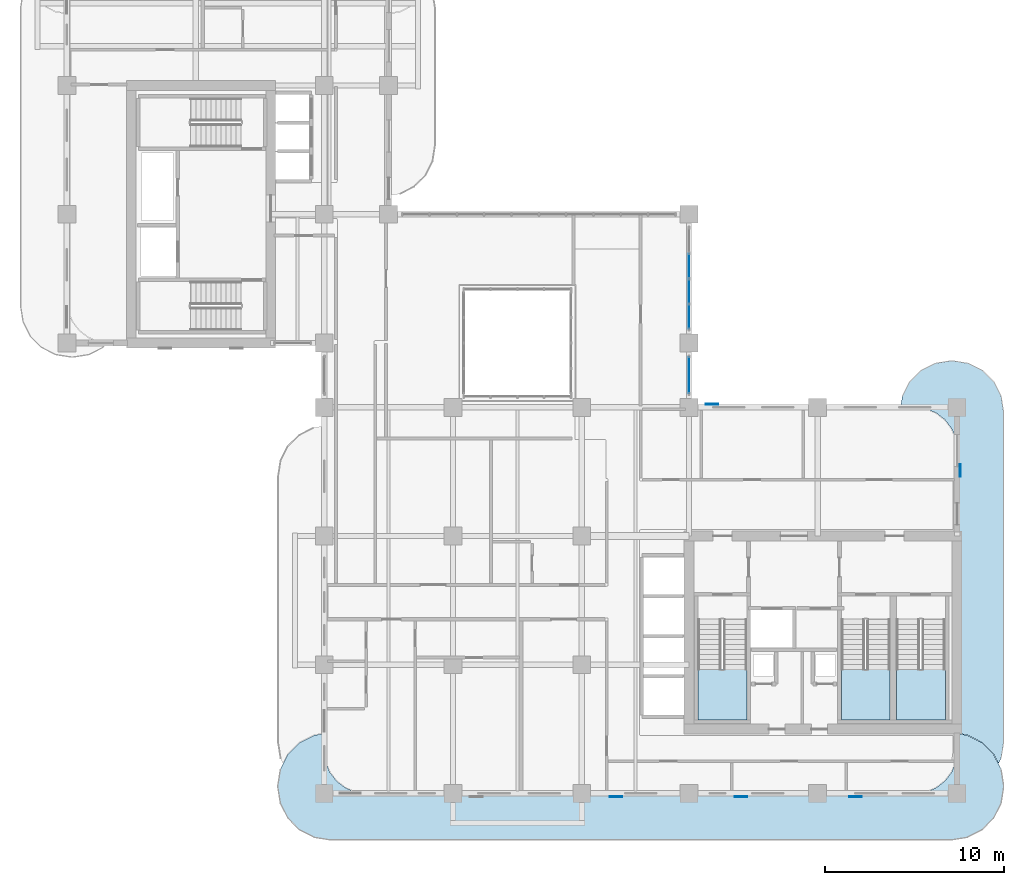
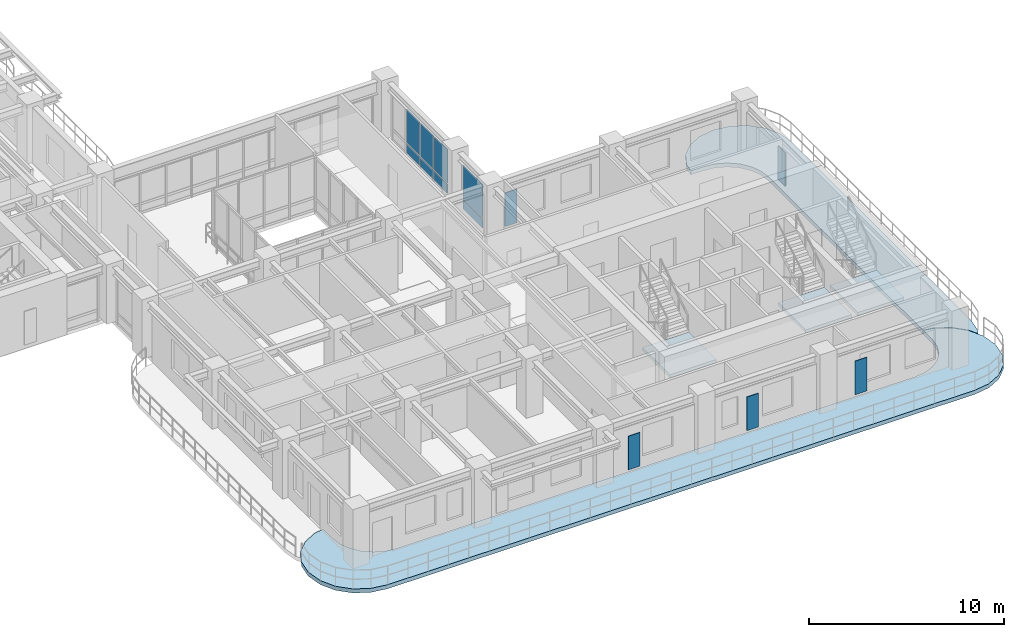
# One storey, part 9 of 20: 13 plates, 5 slabs, 5 elements without a shape of their own.
"""IFC4 building model written with IfcOpenShell, lengths in metres."""

from ifc_helpers import new_model, si_unit, derived_unit, direction, frame, origin, origin_2d, place, context, subcontext, project, spatial, polyline, rectangle, outline, extrude, source, transform, mapped, material, layer, layer_set, type_object, type_shapes, element, aggregate, save


model = new_model("IFC4")

# Units and contexts
model_context = context("Model", 3, precision=1e-05, world=origin(), true_north=direction((0.0, 1.0)))
body_context = subcontext(model_context, "Body", "Model", "MODEL_VIEW")
ifc_project = project(units=[si_unit("LENGTHUNIT", "METRE"), si_unit("AREAUNIT", "SQUARE_METRE"), si_unit("VOLUMEUNIT", "CUBIC_METRE"), si_unit("PLANEANGLEUNIT", "RADIAN"), si_unit("MASSUNIT", "GRAM", prefix="KILO"), si_unit("THERMODYNAMICTEMPERATUREUNIT", "KELVIN"), si_unit("POWERUNIT", "WATT"), derived_unit("THERMALTRANSMITTANCEUNIT", [(si_unit("POWERUNIT", "WATT"), 1), (si_unit("AREAUNIT", "SQUARE_METRE"), -1), (si_unit("THERMODYNAMICTEMPERATUREUNIT", "KELVIN"), -1)])], contexts=[model_context])

# Site, building, storey
site_placement = place(None, origin())
site = spatial("IfcSite", under=ifc_project, at=site_placement, CompositionType="ELEMENT")
building_placement = place(site_placement, origin())
building = spatial("IfcBuilding", under=site, at=building_placement, Name="Zahravan Archway Hotel and Residences", CompositionType="ELEMENT")
storey_placement = place(building_placement, frame((0.0, 0.0, 115.5)))
storey = spatial("IfcBuildingStorey", under=building, at=storey_placement, Name="L28", CompositionType="ELEMENT", Elevation=115.5)

# Slabs
ifc_material_1 = material(Name="Concrete C45/55", Category="concrete")
ifc_layer_1 = layer(ifc_material_1, 0.25, Name="Concrete C45/55", Category="concrete")
ifc_layer_set_1 = layer_set([ifc_layer_1], Name="Concrete C45/55")
slab_type_1 = type_object("IfcSlabType", Name="SLB-BALC-250", PredefinedType="FLOOR", material=ifc_layer_set_1)
slab_1_placement = place(storey_placement, frame((0.0, 0.0, -0.25)))
element("IfcSlab", 1, at=slab_1_placement, inside=storey, type_object=slab_type_1, Name="L28 Wing A South Rounded Balcony Band", PredefinedType="FLOOR", context=body_context, shape_type="SweptSolid", body=[
    extrude(outline(polyline([(50.361572265625, 3.255615234375), (51.18408203125, 2.836669921875), (51.836669921875, 2.18408203125), (52.255615234375, 1.361572265625), (52.39990234375, 0.449951171875), (52.39990234375, 0.35009765625), (52.255615234375, -0.5615234375), (51.836669921875, -1.384033203125), (51.18408203125, -2.03662109375), (50.361572265625, -2.45556640625), (49.449951171875, -2.60009765625), (14.75, -2.60009765625), (13.83837890625, -2.45556640625), (13.01611328125, -2.03662109375), (12.36328125, -1.384033203125), (11.9443359375, -0.5615234375), (11.800048828125, 0.35009765625), (11.800048828125, 0.449951171875), (11.9443359375, 1.361572265625), (12.36328125, 2.18408203125), (13.01611328125, 2.836669921875), (13.83837890625, 3.255615234375), (14.3798828125, 3.34130859375), (14.3798828125, 2.39990234375), (14.380126953125, 2.3974609375), (14.4619140625, 1.776123046875), (14.46240234375, 1.7744140625), (14.462646484375, 1.772705078125), (14.46337890625, 1.77099609375), (14.702880859375, 1.1923828125), (14.703857421875, 1.19091796875), (14.70458984375, 1.189208984375), (14.70556640625, 1.187744140625), (15.0869140625, 0.690673828125), (15.088134765625, 0.689453125), (15.08935546875, 0.688232421875), (15.0908203125, 0.68701171875), (15.587890625, 0.3056640625), (15.58935546875, 0.3046875), (15.5908203125, 0.3037109375), (15.59228515625, 0.302978515625), (16.171142578125, 0.063232421875), (16.1728515625, 0.062744140625), (16.174560546875, 0.062255859375), (16.17626953125, 0.06201171875), (16.79736328125, -0.019775390625), (16.800048828125, -0.02001953125), (47.39990234375, -0.02001953125), (47.402587890625, -0.019775390625), (48.023681640625, 0.06201171875), (48.025390625, 0.062255859375), (48.027099609375, 0.062744140625), (48.02880859375, 0.063232421875), (48.607666015625, 0.302978515625), (48.609130859375, 0.3037109375), (48.610595703125, 0.3046875), (48.6123046875, 0.3056640625), (49.109375, 0.68701171875), (49.110595703125, 0.688232421875), (49.11181640625, 0.689453125), (49.113037109375, 0.690673828125), (49.494384765625, 1.187744140625), (49.495361328125, 1.189208984375), (49.49609375, 1.19091796875), (49.4970703125, 1.1923828125), (49.73681640625, 1.77099609375), (49.7373046875, 1.772705078125), (49.73779296875, 1.7744140625), (49.738037109375, 1.776123046875), (49.81982421875, 2.3974609375), (49.820068359375, 2.39990234375), (49.820068359375, 3.34130859375), (50.361572265625, 3.255615234375)])), origin(), (0.0, 0.0, 1.0), 0.25),
])
slab_2_placement = place(storey_placement, frame((0.0, 0.0, -0.25)))
element("IfcSlab", 2, at=slab_2_placement, inside=storey, type_object=slab_type_1, Name="L28 Wing A East Rounded Balcony Band", PredefinedType="FLOOR", context=body_context, shape_type="SweptSolid", body=[
    extrude(outline(polyline([(46.739501953125, 22.230712890625), (47.144287109375, 23.025146484375), (47.77490234375, 23.65576171875), (48.5693359375, 24.060546875), (49.449951171875, 24.199951171875), (49.550048828125, 24.199951171875), (50.4306640625, 24.060546875), (51.22509765625, 23.65576171875), (51.855712890625, 23.025146484375), (52.260498046875, 22.230712890625), (52.39990234375, 21.35009765625), (52.39990234375, 2.85009765625), (52.260498046875, 1.96923828125), (52.114501953125, 1.6826171875), (51.8544921875, 2.193115234375), (51.853515625, 2.19482421875), (51.85205078125, 2.196533203125), (51.8505859375, 2.197998046875), (51.197998046875, 2.8505859375), (51.196533203125, 2.85205078125), (51.19482421875, 2.853515625), (51.193115234375, 2.8544921875), (50.37060546875, 3.2734375), (50.368896484375, 3.2744140625), (50.36669921875, 3.27490234375), (50.36474609375, 3.275390625), (49.822998046875, 3.361083984375), (49.8212890625, 3.361328125), (49.820068359375, 3.361328125), (49.820068359375, 19.199951171875), (49.81982421875, 19.20263671875), (49.738037109375, 19.82373046875), (49.73779296875, 19.825439453125), (49.7373046875, 19.8271484375), (49.73681640625, 19.828857421875), (49.4970703125, 20.40771484375), (49.49609375, 20.4091796875), (49.495361328125, 20.41064453125), (49.494384765625, 20.412109375), (49.113037109375, 20.9091796875), (49.11181640625, 20.91064453125), (49.110595703125, 20.911865234375), (49.109375, 20.9130859375), (48.6123046875, 21.29443359375), (48.610595703125, 21.29541015625), (48.609130859375, 21.296142578125), (48.607666015625, 21.297119140625), (48.02880859375, 21.53662109375), (48.027099609375, 21.537353515625), (48.025390625, 21.53759765625), (48.023681640625, 21.5380859375), (47.402587890625, 21.619873046875), (47.39990234375, 21.6201171875), (46.642822265625, 21.6201171875), (46.739501953125, 22.230712890625)])), origin(), (0.0, 0.0, 1.0), 0.25),
])

# Stair, slab
ifc_material_2 = material(Name="Concrete C50/60", Category="concrete")
stair_type = type_object("IfcStairType", Name="STR-CORE-1300", PredefinedType="HALF_TURN_STAIR", material=ifc_material_2)
stair_1_placement = place(storey_placement, origin())
stair_1 = element("IfcStair", 3, at=stair_1_placement, inside=storey, type_object=stair_type, Name="L28 Core A Exit Stair 1", PredefinedType="HALF_TURN_STAIR")
ifc_layer_2 = layer(ifc_material_2, 0.199951171875, Name="Concrete C50/60", Category="concrete")
ifc_layer_set_2 = layer_set([ifc_layer_2], Name="Concrete C50/60")
slab_type_2 = type_object("IfcSlabType", Name="SLB-LND-200", PredefinedType="LANDING", material=ifc_layer_set_2)
slab_3_placement = place(storey_placement, frame((0.0, 0.0, 1.64990234375)))
slab_3 = element("IfcSlab", 4, at=slab_3_placement, type_object=slab_type_2, Name="ST-A1 landing 1", PredefinedType="LANDING", context=body_context, shape_type="SweptSolid", body=[
    extrude(outline(polyline([(35.300048828125, 6.929931640625), (35.300048828125, 4.10009765625), (38.0400390625, 4.10009765625), (38.0400390625, 6.929931640625), (35.300048828125, 6.929931640625)])), origin(), (0.0, 0.0, 1.0), 0.2001953125),
])
aggregate(stair_1, [slab_3])

stair_2_placement = place(storey_placement, origin())
stair_2 = element("IfcStair", 5, at=stair_2_placement, inside=storey, type_object=stair_type, Name="L28 Core A Exit Stair 2", PredefinedType="HALF_TURN_STAIR")
slab_4_placement = place(storey_placement, frame((0.0, 0.0, 1.64990234375)))
slab_4 = element("IfcSlab", 6, at=slab_4_placement, type_object=slab_type_2, Name="ST-A2 landing 1", PredefinedType="LANDING", context=body_context, shape_type="SweptSolid", body=[
    extrude(outline(polyline([(43.320068359375, 6.929931640625), (43.320068359375, 4.10009765625), (46.06005859375, 4.10009765625), (46.06005859375, 6.929931640625), (43.320068359375, 6.929931640625)])), origin(), (0.0, 0.0, 1.0), 0.2001953125),
])
aggregate(stair_2, [slab_4])

stair_3_placement = place(storey_placement, origin())
stair_3 = element("IfcStair", 7, at=stair_3_placement, inside=storey, type_object=stair_type, Name="L28 Core A Exit Stair 3", PredefinedType="HALF_TURN_STAIR")
slab_5_placement = place(storey_placement, frame((0.0, 0.0, 1.64990234375)))
slab_5 = element("IfcSlab", 8, at=slab_5_placement, type_object=slab_type_2, Name="ST-A3 landing 1", PredefinedType="LANDING", context=body_context, shape_type="SweptSolid", body=[
    extrude(outline(polyline([(46.39990234375, 6.929931640625), (46.39990234375, 4.10009765625), (49.139892578125, 4.10009765625), (49.139892578125, 6.929931640625), (46.39990234375, 6.929931640625)])), origin(), (0.0, 0.0, 1.0), 0.2001953125),
])
aggregate(stair_3, [slab_5])

# Plates
ifc_material_3 = material(Name="Perforated Cast Bronze Jali Lattice")
ifc_layer_3 = layer(ifc_material_3, 0.044921875, Name="Perforated Cast Bronze Jali Lattice")
ifc_layer_set_3 = layer_set([ifc_layer_3], Name="Perforated Cast Bronze Jali Lattice")
plate_type_1 = type_object("IfcPlateType", Name="PLT-JALI-BAY", PredefinedType="USERDEFINED", material=ifc_layer_set_3)
shared_shape_1 = source(origin(), body_context, "Body", "SweptSolid", [
    extrude(rectangle(XDim=0.699951171875, YDim=0.044921875, at=origin_2d()), origin(), (0.0, 0.0, 1.0), 2.10009765625),
])
type_shapes(plate_type_1, [shared_shape_1])
for number, where, z_axis, x_axis, name in (
    (9, (30.7080078125, -0.177978515625, 0.25), (0.0, 0.0, 1.0), (1.0, 0.0, 0.0), "L28 Perforated Bronze Jali Pier Screen 02"),
    (10, (37.7080078125, -0.177978515625, 0.25), (0.0, 0.0, 1.0), (1.0, 0.0, 0.0), "L28 Perforated Bronze Jali Pier Screen 03"),
    (11, (44.10791015625, -0.177978515625, 0.25), (0.0, 0.0, 1.0), (1.0, 0.0, 0.0), "L28 Perforated Bronze Jali Pier Screen 04"),
    (12, (49.97802734375, 18.05908203125, 0.25), (0.0, 0.0, 1.0), (0.0, 1.0, 0.0), "L28 Perforated Bronze Jali Pier Screen 05"),
    (13, (36.10009765625, 21.778076171875, 0.25), (0.0, 0.0, 1.0), (1.0, 0.0, 0.0), "L28 Perforated Bronze Jali Pier Screen 06"),
):
    element("IfcPlate", number, at=place(storey_placement, frame(where, z_axis=z_axis, x_axis=x_axis)), inside=storey, type_object=plate_type_1, Name=name, ObjectType="SCREEN", PredefinedType="USERDEFINED", context=body_context, shape_type="MappedRepresentation", body=[
        mapped(shared_shape_1, transform((0.0, 0.0, 0.0), scale=1.0)),
    ])

# Curtain wall, plates
ifc_material_4 = material(Name="Bronze-Anodized Unitised Aluminium & Low-E Glass", Category="aluminium")
ifc_layer_4 = layer(ifc_material_4, 0.179931640625, Name="Bronze-Anodized Unitised Aluminium & Low-E Glass", Category="aluminium")
ifc_layer_set_4 = layer_set([ifc_layer_4], Name="Bronze-Anodized Unitised Aluminium & Low-E Glass")
curtain_wall_type = type_object("IfcCurtainWallType", Name="CW-ATR-GLAZ", PredefinedType="NOTDEFINED", material=ifc_layer_set_4)
curtain_wall_1_placement = place(storey_placement, origin())
curtain_wall_1 = element("IfcCurtainWall", 14, at=curtain_wall_1_placement, inside=storey, type_object=curtain_wall_type, Name="L28 Curtain Wall CW-L28-HNG-E-1", PredefinedType="NOTDEFINED")
ifc_material_5 = material(Name="Insulated Terracotta Spandrel Panel", Category="masonry")
ifc_layer_5 = layer(ifc_material_5, 0.0400390625, Name="Insulated Terracotta Spandrel Panel", Category="masonry")
ifc_layer_set_5 = layer_set([ifc_layer_5], Name="Insulated Terracotta Spandrel Panel")
plate_type_2 = type_object("IfcPlateType", Name="CWP-SPN-40", PredefinedType="SHEET", material=ifc_layer_set_5)
shared_shape_2 = source(origin(), body_context, "Body", "SweptSolid", [
    extrude(rectangle(XDim=2.0, YDim=0.0400390625, at=origin_2d()), origin(), (0.0, 0.0, 1.0), 0.564453125),
])
plate_1_placement = place(storey_placement, frame((34.800048828125, 23.39990234375, 0.099853515625), z_axis=(0.0, 0.0, 1.0), x_axis=(0.0, 1.0, 0.0)))
plate_1 = element("IfcPlate", 15, at=plate_1_placement, type_object=plate_type_2, Name="CW-L28-HNG-E-1 Spandrel Panel 0", PredefinedType="SHEET", context=body_context, shape_type="MappedRepresentation", body=[
    mapped(shared_shape_2, transform((0.0, 0.0, 0.0), scale=1.0)),
])
ifc_material_6 = material(Name="Double-Silver Low-E Insulated Vision Glass", Category="glass")
ifc_layer_6 = layer(ifc_material_6, 0.028076171875, Name="Double-Silver Low-E Insulated Vision Glass", Category="glass")
ifc_layer_set_6 = layer_set([ifc_layer_6], Name="Double-Silver Low-E Insulated Vision Glass")
plate_type_3 = type_object("IfcPlateType", Name="CWP-GLZ-28", PredefinedType="CURTAIN_PANEL", material=ifc_layer_set_6)
shared_shape_3 = source(origin(), body_context, "Body", "SweptSolid", [
    extrude(rectangle(XDim=2.0, YDim=0.028076171875, at=origin_2d()), origin(), (0.0, 0.0, 1.0), 2.090576171875),
])
plate_2_placement = place(storey_placement, frame((34.800048828125, 23.39990234375, 0.74462890625), z_axis=(0.0, 0.0, 1.0), x_axis=(0.0, 1.0, 0.0)))
plate_2 = element("IfcPlate", 16, at=plate_2_placement, type_object=plate_type_3, Name="CW-L28-HNG-E-1 Low-E Vision Panel 0", PredefinedType="CURTAIN_PANEL", context=body_context, shape_type="MappedRepresentation", body=[
    mapped(shared_shape_3, transform((0.0, 0.0, 0.0), scale=1.0)),
])
aggregate(curtain_wall_1, [plate_1, plate_2])

curtain_wall_2_placement = place(storey_placement, origin())
curtain_wall_2 = element("IfcCurtainWall", 17, at=curtain_wall_2_placement, inside=storey, type_object=curtain_wall_type, Name="L28 Curtain Wall CW-L28-HNG-E-2", PredefinedType="NOTDEFINED")
shared_shape_4 = source(origin(), body_context, "Body", "SweptSolid", [
    extrude(rectangle(XDim=1.340087890625, YDim=0.0400390625, at=origin_2d()), origin(), (0.0, 0.0, 1.0), 0.564453125),
])
plate_3_placement = place(storey_placement, frame((34.800048828125, 26.669921875, 0.099853515625), z_axis=(0.0, 0.0, 1.0), x_axis=(0.0, 1.0, 0.0)))
plate_3 = element("IfcPlate", 18, at=plate_3_placement, type_object=plate_type_2, Name="CW-L28-HNG-E-2 Spandrel Panel 0", PredefinedType="SHEET", context=body_context, shape_type="MappedRepresentation", body=[
    mapped(shared_shape_4, transform((0.0, 0.0, 0.0), scale=1.0)),
])
plate_4_placement = place(storey_placement, frame((34.800048828125, 28.090087890625, 0.099853515625), z_axis=(0.0, 0.0, 1.0), x_axis=(0.0, 1.0, 0.0)))
plate_4 = element("IfcPlate", 19, at=plate_4_placement, type_object=plate_type_2, Name="CW-L28-HNG-E-2 Spandrel Panel 1", PredefinedType="SHEET", context=body_context, shape_type="MappedRepresentation", body=[
    mapped(shared_shape_4, transform((0.0, 0.0, 0.0), scale=1.0)),
])
plate_5_placement = place(storey_placement, frame((34.800048828125, 29.510009765625, 0.099853515625), z_axis=(0.0, 0.0, 1.0), x_axis=(0.0, 1.0, 0.0)))
plate_5 = element("IfcPlate", 20, at=plate_5_placement, type_object=plate_type_2, Name="CW-L28-HNG-E-2 Spandrel Panel 2", PredefinedType="SHEET", context=body_context, shape_type="MappedRepresentation", body=[
    mapped(shared_shape_4, transform((0.0, 0.0, 0.0), scale=1.0)),
])
shared_shape_5 = source(origin(), body_context, "Body", "SweptSolid", [
    extrude(rectangle(XDim=1.340087890625, YDim=0.028076171875, at=origin_2d()), origin(), (0.0, 0.0, 1.0), 2.090576171875),
])
plate_6_placement = place(storey_placement, frame((34.800048828125, 26.669921875, 0.74462890625), z_axis=(0.0, 0.0, 1.0), x_axis=(0.0, 1.0, 0.0)))
plate_6 = element("IfcPlate", 21, at=plate_6_placement, type_object=plate_type_3, Name="CW-L28-HNG-E-2 Low-E Vision Panel 0", PredefinedType="CURTAIN_PANEL", context=body_context, shape_type="MappedRepresentation", body=[
    mapped(shared_shape_5, transform((0.0, 0.0, 0.0), scale=1.0)),
])
plate_7_placement = place(storey_placement, frame((34.800048828125, 28.090087890625, 0.74462890625), z_axis=(0.0, 0.0, 1.0), x_axis=(0.0, 1.0, 0.0)))
plate_7 = element("IfcPlate", 22, at=plate_7_placement, type_object=plate_type_3, Name="CW-L28-HNG-E-2 Low-E Vision Panel 1", PredefinedType="CURTAIN_PANEL", context=body_context, shape_type="MappedRepresentation", body=[
    mapped(shared_shape_5, transform((0.0, 0.0, 0.0), scale=1.0)),
])
plate_8_placement = place(storey_placement, frame((34.800048828125, 29.510009765625, 0.74462890625), z_axis=(0.0, 0.0, 1.0), x_axis=(0.0, 1.0, 0.0)))
plate_8 = element("IfcPlate", 23, at=plate_8_placement, type_object=plate_type_3, Name="CW-L28-HNG-E-2 Low-E Vision Panel 2", PredefinedType="CURTAIN_PANEL", context=body_context, shape_type="MappedRepresentation", body=[
    mapped(shared_shape_5, transform((0.0, 0.0, 0.0), scale=1.0)),
])
aggregate(curtain_wall_2, [plate_3, plate_6, plate_4, plate_7, plate_5, plate_8])

save(model, "model.ifc")
